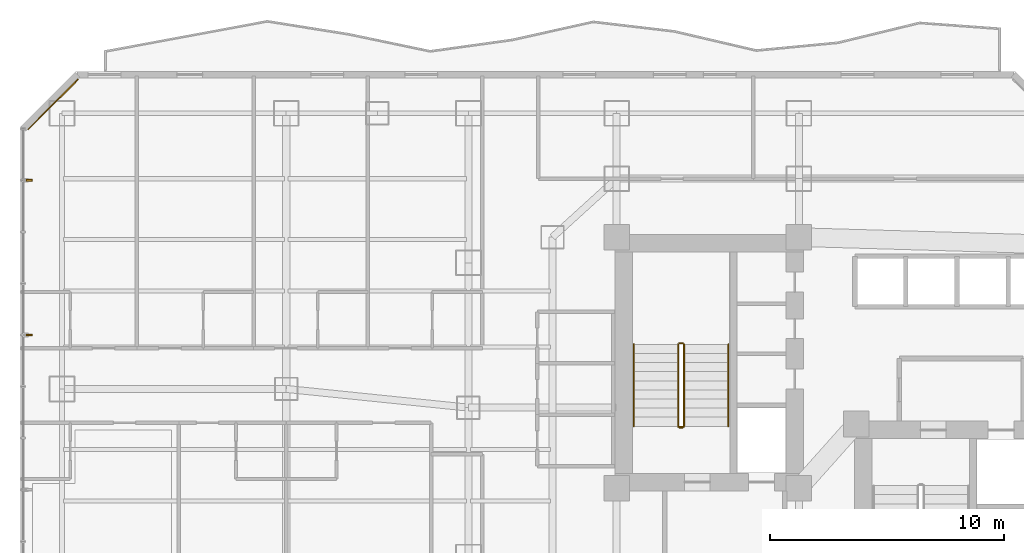
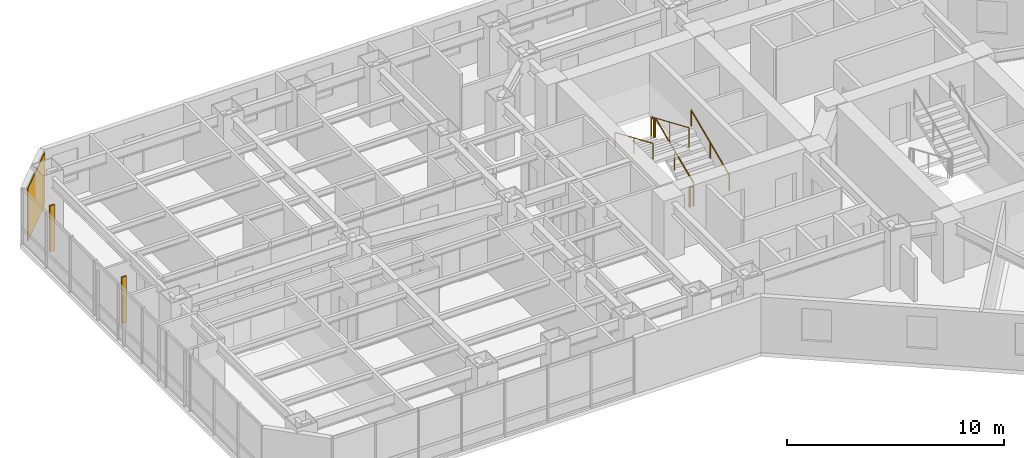
# One storey, part 36 of 38: 7 railings, 2 shading devices, 1 covering.
"""IFC4 building model written with IfcOpenShell, lengths in metres."""

from ifc_helpers import new_model, si_unit, direction, frame, origin, origin_2d, place, context, subcontext, project, spatial, rectangle, circle, extrude, material, layer, layer_set, type_object, element, save


model = new_model("IFC4")

# Units and contexts
model_context = context("Model", 3, precision=1e-05, world=origin(), true_north=direction((0.0, 1.0)))
body_context = subcontext(model_context, "Body", "Model", "MODEL_VIEW")
ifc_project = project(units=[si_unit("LENGTHUNIT", "METRE"), si_unit("AREAUNIT", "SQUARE_METRE"), si_unit("VOLUMEUNIT", "CUBIC_METRE"), si_unit("PLANEANGLEUNIT", "RADIAN"), si_unit("MASSUNIT", "GRAM", prefix="KILO")], contexts=[model_context])

# Site, building, storey
site_placement = place(None, origin())
site = spatial("IfcSite", under=ifc_project, at=site_placement, CompositionType="ELEMENT")
building_placement = place(site_placement, origin())
building = spatial("IfcBuilding", under=site, at=building_placement, Name="Hatsunagi Terrace Concourse", CompositionType="ELEMENT")
storey_placement = place(building_placement, frame((0.0, 0.0, 60.050048828125)))
storey = spatial("IfcBuildingStorey", under=building, at=storey_placement, Name="L15", CompositionType="ELEMENT", Elevation=60.050048828125)

# Railings
ifc_material_1 = material(Name="Stainless steel", Category="steel")
ifc_layer_1 = layer(ifc_material_1, 0.044921875)
ifc_layer_set_1 = layer_set([ifc_layer_1], Name="StairPitchHandrail_Tower2000")
railing_type_1 = type_object("IfcRailingType", Name="StairPitchHandrail_Tower2000", PredefinedType="HANDRAIL", material=ifc_layer_set_1)
railing_1_placement = place(storey_placement, frame((30.330078125, 35.199951171875, 0.16748046875)))
element("IfcRailing", 1, at=railing_1_placement, inside=storey, type_object=railing_type_1, Name="L15 ST-A stair handrail 1", PredefinedType="HANDRAIL", context=body_context, shape_type="SweptSolid", body=[
    extrude(circle(Radius=0.02392578125, at=origin_2d()), frame((0.0, 0.0, 0.8759765625), z_axis=(0.0, 0.918834009242, 0.394644223904), x_axis=(-1.0, 0.0, 0.0)), (0.0, 0.0, 1.0), 3.820068359375),
    extrude(circle(Radius=0.02099609375, at=origin_2d()), origin(), (0.0, 0.0, 1.0), 0.851806640625),
    extrude(circle(Radius=0.02099609375, at=origin_2d()), frame((0.0, 1.7548828125, 0.75390625)), (0.0, 0.0, 1.0), 0.851806640625),
    extrude(circle(Radius=0.02099609375, at=origin_2d()), frame((0.0, 3.510009765625, 1.507568359375)), (0.0, 0.0, 1.0), 0.851806640625),
])
railing_2_placement = place(storey_placement, frame((26.280029296875, 38.7099609375, 1.842529296875)))
element("IfcRailing", 2, at=railing_2_placement, inside=storey, type_object=railing_type_1, Name="L15 ST-A stair handrail 2", PredefinedType="HANDRAIL", context=body_context, shape_type="SweptSolid", body=[
    extrude(circle(Radius=0.02392578125, at=origin_2d()), frame((0.0, 0.0, 0.8759765625), z_axis=(0.0, -0.918857182807, 0.394590265469), x_axis=(1.0, 0.0, 0.0)), (0.0, 0.0, 1.0), 3.820068359375),
    extrude(circle(Radius=0.02099609375, at=origin_2d()), origin(), (0.0, 0.0, 1.0), 0.851806640625),
    extrude(circle(Radius=0.02099609375, at=origin_2d()), frame((0.0, -1.7548828125, 0.753662109375)), (0.0, 0.0, 1.0), 0.851806640625),
    extrude(circle(Radius=0.02099609375, at=origin_2d()), frame((0.0, -3.510009765625, 1.50732421875)), (0.0, 0.0, 1.0), 0.851806640625),
])
ifc_material_2 = material(Name="Stainless steel", Category="steel")
ifc_layer_2 = layer(ifc_material_2, 0.06005859375)
ifc_layer_set_2 = layer_set([ifc_layer_2], Name="StairWellGuard_Tower2000")
railing_type_2 = type_object("IfcRailingType", Name="StairWellGuard_Tower2000", PredefinedType="BALUSTRADE", material=ifc_layer_set_2)
railing_3_placement = place(storey_placement, frame((28.429931640625, 35.199951171875, 0.16748046875)))
element("IfcRailing", 3, at=railing_3_placement, inside=storey, type_object=railing_type_2, Name="L15 ST-A stair guard 1", PredefinedType="BALUSTRADE", context=body_context, shape_type="SweptSolid", body=[
    extrude(circle(Radius=0.02392578125, at=origin_2d()), frame((0.0, 0.0, 1.09619140625), z_axis=(0.0, 0.918834009242, 0.394644223904), x_axis=(-1.0, 0.0, 0.0)), (0.0, 0.0, 1.0), 3.820068359375),
    extrude(circle(Radius=0.02099609375, at=origin_2d()), origin(), (0.0, 0.0, 1.0), 1.072021484375),
    extrude(circle(Radius=0.02099609375, at=origin_2d()), frame((0.0, 1.7548828125, 0.75390625)), (0.0, 0.0, 1.0), 1.072021484375),
    extrude(circle(Radius=0.02099609375, at=origin_2d()), frame((0.0, 3.510009765625, 1.507568359375)), (0.0, 0.0, 1.0), 1.072021484375),
])
railing_4_placement = place(storey_placement, frame((28.3798828125, 38.760009765625, 1.675048828125)))
element("IfcRailing", 4, at=railing_4_placement, inside=storey, type_object=railing_type_2, Name="L15 ST-A stair guard 2", PredefinedType="BALUSTRADE", context=body_context, shape_type="SweptSolid", body=[
    extrude(circle(Radius=0.02392578125, at=origin_2d()), frame((0.0, 0.0, 1.09619140625), z_axis=(-1.0, 0.0, 0.0), x_axis=(0.0, -1.0, 0.0)), (0.0, 0.0, 1.0), 0.14990234375),
    extrude(circle(Radius=0.02099609375, at=origin_2d()), origin(), (0.0, 0.0, 1.0), 1.072021484375),
    extrude(circle(Radius=0.02099609375, at=origin_2d()), frame((-0.14990234375, 0.0, 0.0)), (0.0, 0.0, 1.0), 1.072021484375),
])
railing_5_placement = place(storey_placement, frame((28.179931640625, 38.7099609375, 1.842529296875)))
element("IfcRailing", 5, at=railing_5_placement, inside=storey, type_object=railing_type_2, Name="L15 ST-A stair guard 3", PredefinedType="BALUSTRADE", context=body_context, shape_type="SweptSolid", body=[
    extrude(circle(Radius=0.02392578125, at=origin_2d()), frame((0.0, 0.0, 1.09619140625), z_axis=(0.0, -0.918857182807, 0.394590265469), x_axis=(1.0, 0.0, 0.0)), (0.0, 0.0, 1.0), 3.820068359375),
    extrude(circle(Radius=0.02099609375, at=origin_2d()), origin(), (0.0, 0.0, 1.0), 1.072021484375),
    extrude(circle(Radius=0.02099609375, at=origin_2d()), frame((0.0, -1.7548828125, 0.753662109375)), (0.0, 0.0, 1.0), 1.072021484375),
    extrude(circle(Radius=0.02099609375, at=origin_2d()), frame((0.0, -3.510009765625, 1.50732421875)), (0.0, 0.0, 1.0), 1.072021484375),
])
railing_6_placement = place(storey_placement, frame((28.3798828125, 35.14990234375, 0.0)))
element("IfcRailing", 6, at=railing_6_placement, inside=storey, type_object=railing_type_2, Name="L15 ST-A stair guard 4", PredefinedType="BALUSTRADE", context=body_context, shape_type="SweptSolid", body=[
    extrude(circle(Radius=0.02392578125, at=origin_2d()), frame((0.0, 0.0, 1.09619140625), z_axis=(-1.0, 0.0, 0.0), x_axis=(0.0, -1.0, 0.0)), (0.0, 0.0, 1.0), 0.14990234375),
    extrude(circle(Radius=0.02099609375, at=origin_2d()), origin(), (0.0, 0.0, 1.0), 1.072021484375),
    extrude(circle(Radius=0.02099609375, at=origin_2d()), frame((-0.14990234375, 0.0, 0.0)), (0.0, 0.0, 1.0), 1.072021484375),
])
ifc_material_3 = material(Name="Stainless Steel SUS316 Post-and-Rail Guard", Category="steel")
ifc_layer_3 = layer(ifc_material_3, 0.080078125)
ifc_layer_set_3 = layer_set([ifc_layer_3], Name="TerracePlantedGuardRail_1200")
railing_type_3 = type_object("IfcRailingType", Name="TerracePlantedGuardRail_1200", PredefinedType="GUARDRAIL", material=ifc_layer_set_3)
railing_7_placement = place(storey_placement, frame((28.179931640625, 35.179931640625, 0.0)))
element("IfcRailing", 7, at=railing_7_placement, inside=storey, type_object=railing_type_3, Name="Stair ST-A Well Closure Guard L15", PredefinedType="GUARDRAIL", context=body_context, shape_type="SweptSolid", body=[
    extrude(circle(Radius=0.02392578125, at=origin_2d()), frame((0.0, 0.0, 1.09619140625), z_axis=(1.0, 0.0, 0.0), x_axis=(0.0, 1.0, 0.0)), (0.0, 0.0, 1.0), 0.25),
    extrude(circle(Radius=0.02099609375, at=origin_2d()), origin(), (0.0, 0.0, 1.0), 1.072021484375),
    extrude(circle(Radius=0.02099609375, at=origin_2d()), frame((0.25, 0.0, 0.0)), (0.0, 0.0, 1.0), 1.072021484375),
])

# Shading devices
ifc_material_4 = material(Name="Extruded Unglazed Terracotta Baguette", Category="masonry")
shading_device_type = type_object("IfcShadingDeviceType", Name="TerracottaFinScreen_260x70", PredefinedType="USERDEFINED", material=ifc_material_4)
for number, where, z_axis, x_axis, name in (
    (8, (0.389892578125, 39.10791015625, 0.849853515625), (0.0, 0.0, 1.0), (0.0, 1.0, 0.0), "Terracotta Baguette Fin Screen SCR-01"),
    (9, (0.389892578125, 45.73388671875, 0.849853515625), (0.0, 0.0, 1.0), (0.0, 1.0, 0.0), "Terracotta Baguette Fin Screen SCR-01"),
):
    element("IfcShadingDevice", number, at=place(storey_placement, frame(where, z_axis=z_axis, x_axis=x_axis)), inside=storey, type_object=shading_device_type, Name=name, ObjectType="SUNSHADE", PredefinedType="USERDEFINED", context=body_context, shape_type="SweptSolid", body=[
        extrude(rectangle(XDim=0.070068359375, YDim=0.260009765625, at=origin_2d()), origin(), (0.0, 0.0, 1.0), 2.60009765625),
    ])

# Covering
ifc_material_5 = material(Name="Unglazed Warm Terracotta Rainscreen Tile", Category="masonry")
ifc_layer_4 = layer(ifc_material_5, 0.044921875)
ifc_layer_set_4 = layer_set([ifc_layer_4], Name="TerracottaRainscreenCladding_45")
covering_type = type_object("IfcCoveringType", Name="TerracottaRainscreenCladding_45", PredefinedType="CLADDING", material=ifc_layer_set_4)
covering_placement = place(storey_placement, frame((1.4140625, 48.986083984375, 0.10009765625), z_axis=(0.0, 0.0, 1.0), x_axis=(0.707106781187, 0.707106781187, 0.0)))
element("IfcCovering", 10, at=covering_placement, inside=storey, type_object=covering_type, Name="Terracotta Rainscreen Cladding L15-10", PredefinedType="CLADDING", context=body_context, shape_type="SweptSolid", body=[
    extrude(rectangle(XDim=3.0380859375, YDim=0.044921875, at=origin_2d()), origin(), (0.0, 0.0, 1.0), 2.929931640625),
])

save(model, "model.ifc")
